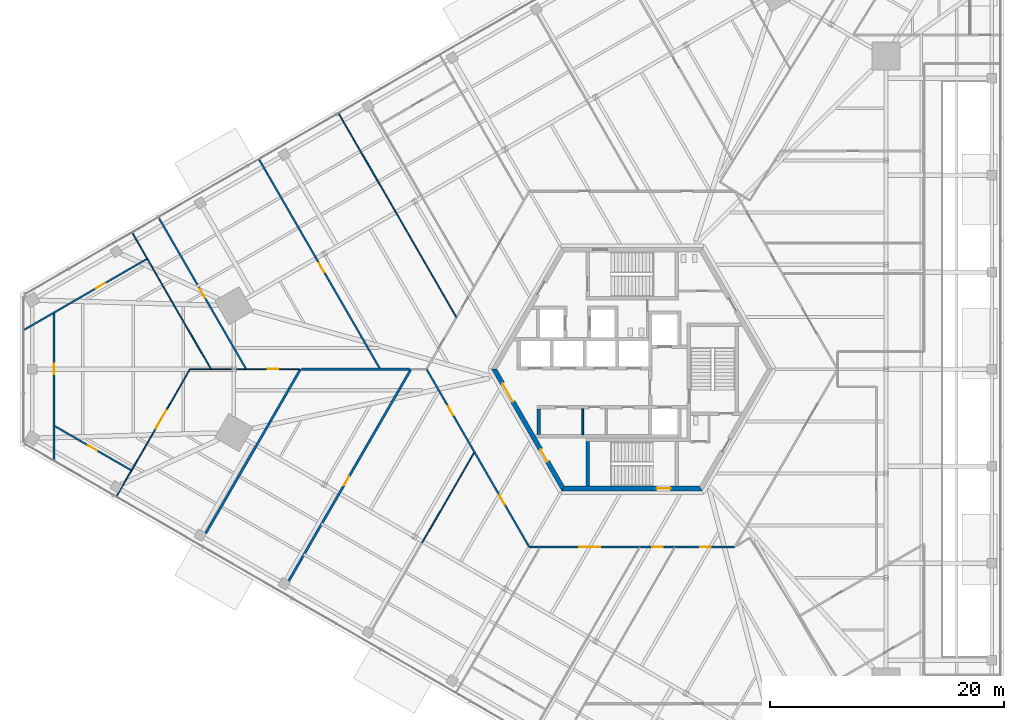
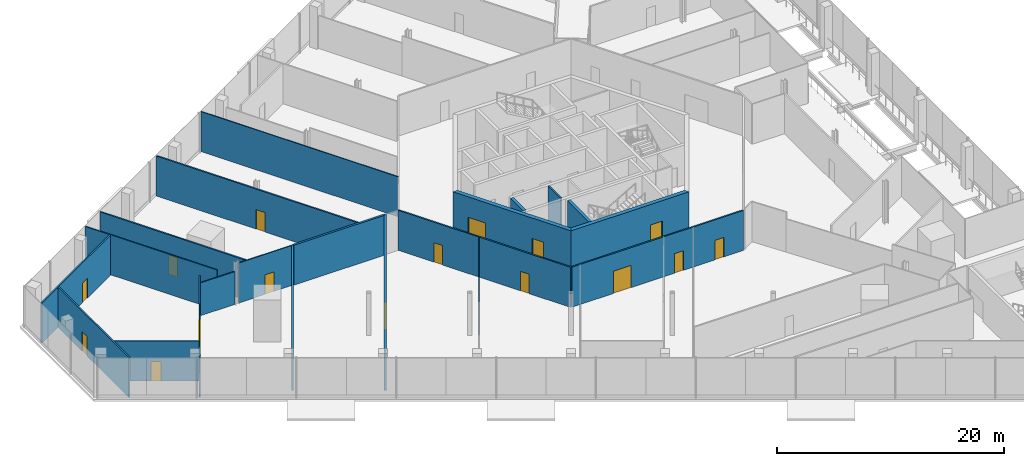
# One storey, part 19 of 27: 21 walls, 16 doors, 16 openings.
"""IFC4 building model written with IfcOpenShell, lengths in metres."""

from ifc_helpers import new_model, si_unit, direction, frame, frame_2d, origin, place, context, subcontext, project, spatial, polyline, rectangle, outline, extrude, source, transform, mapped, material, layer, layer_set, type_object, element, fill, save


model = new_model("IFC4")

# Units and contexts
model_context = context("Model", 3, precision=1e-05, world=origin(), true_north=direction((0.0, 1.0)))
body_context = subcontext(model_context, "Body", "Model", "MODEL_VIEW")
ifc_project = project(units=[si_unit("LENGTHUNIT", "METRE"), si_unit("AREAUNIT", "SQUARE_METRE"), si_unit("VOLUMEUNIT", "CUBIC_METRE"), si_unit("PLANEANGLEUNIT", "RADIAN"), si_unit("MASSUNIT", "GRAM", prefix="KILO")], contexts=[model_context])

# Site, building, storey
site_placement = place(None, origin())
site = spatial("IfcSite", under=ifc_project, at=site_placement, CompositionType="ELEMENT")
building_placement = place(site_placement, origin())
building = spatial("IfcBuilding", under=site, at=building_placement, Name="Triune Harvest Tower", CompositionType="ELEMENT")
storey_placement = place(building_placement, frame((0.0, 0.0, 7.0)))
storey = spatial("IfcBuildingStorey", under=building, at=storey_placement, Name="L01", CompositionType="ELEMENT", Elevation=7.0)

# Wall, opening, door
ifc_material_1 = material(Name="Gypsum board on steel studs", Category="steel")
ifc_layer_1 = layer(ifc_material_1, 0.14990234375)
ifc_layer_set_1 = layer_set([ifc_layer_1], Name="Gypsum board on steel studs")
wall_type_1 = type_object("IfcWallType", Name="Fire Partition 150 mm", PredefinedType="PARTITIONING", material=ifc_layer_set_1)
wall_1_placement = place(storey_placement, frame((-40.3974609375, 12.91015625, 0.0), z_axis=(0.0, 0.0, 1.0), x_axis=(0.500008816152, -0.866020313717, 0.0)))
wall_1 = element("IfcWall", 1, at=wall_1_placement, inside=storey, type_object=wall_type_1, Name="Partition L01 002", PredefinedType="PARTITIONING", context=body_context, shape_type="SweptSolid", body=[
    extrude(rectangle(XDim=14.907470703125, YDim=0.14990234375, at=frame_2d((7.45361328125, 0.0))), origin(), (0.0, 0.0, 1.0), 4.300048828125),
])
opening_1_placement = place(wall_1_placement, frame((6.97509765625, 0.0, 0.0)))
opening_1 = element("IfcOpeningElement", 2, at=opening_1_placement, cuts=wall_1, Name="Opening L01-021", PredefinedType="OPENING", context=body_context, shape_type="SweptSolid", body=[
    extrude(rectangle(XDim=0.89990234375, YDim=2.10009765625, at=frame_2d((0.449951171875, 1.050048828125))), frame((0.0, 0.0849609375, 0.0), z_axis=(0.0, -1.0, 0.0), x_axis=(1.0, 0.0, 0.0)), (0.0, 0.0, 1.0), 0.169921875),
])
ifc_material_2 = material(Name="Timber and steel door set", Category="steel")
door_type_1 = type_object("IfcDoorType", Name="Single leaf door FD30 right hand 900 x 2100", OperationType="SINGLE_SWING_RIGHT", PredefinedType="DOOR", material=ifc_material_2)
door_1_placement = place(opening_1_placement, origin())
door_1 = element("IfcDoor", 3, at=door_1_placement, inside=storey, type_object=door_type_1, Name="Door L01-021 Dry Store Room 01.22", OperationType="SINGLE_SWING_RIGHT", OverallHeight=2.10009765625, OverallWidth=0.89990234375, PredefinedType="DOOR", context=body_context, shape_type="SweptSolid", body=[
    extrude(rectangle(XDim=0.89990234375, YDim=2.10009765625, at=frame_2d((0.449951171875, 1.050048828125))), frame((0.0, 0.02490234375, 0.0), z_axis=(0.0, -1.0, 0.0), x_axis=(1.0, 0.0, 0.0)), (0.0, 0.0, 1.0), 0.050048828125),
])
fill(opening_1, door_1)

wall_2_placement = place(storey_placement, frame((-31.816650390625, 17.8642578125, 0.0), z_axis=(0.0, 0.0, 1.0), x_axis=(0.500001119364, -0.866024757518, 0.0)))
wall_2 = element("IfcWall", 4, at=wall_2_placement, inside=storey, type_object=wall_type_1, Name="Partition L01 003", PredefinedType="PARTITIONING", context=body_context, shape_type="SweptSolid", body=[
    extrude(rectangle(XDim=20.6279296875, YDim=0.14990234375, at=frame_2d((10.31396484375, 0.0))), origin(), (0.0, 0.0, 1.0), 4.300048828125),
])
opening_2_placement = place(wall_2_placement, frame((10.175048828125, 0.0, 0.0)))
opening_2 = element("IfcOpeningElement", 5, at=opening_2_placement, cuts=wall_2, Name="Opening L01-022", PredefinedType="OPENING", context=body_context, shape_type="SweptSolid", body=[
    extrude(rectangle(XDim=0.89990234375, YDim=2.10009765625, at=frame_2d((0.449951171875, 1.050048828125))), frame((0.0, 0.0849609375, 0.0), z_axis=(0.0, -1.0, 0.0), x_axis=(1.0, 0.0, 0.0)), (0.0, 0.0, 1.0), 0.169921875),
])
ifc_material_3 = material(Name="Timber and steel door set", Category="steel")
door_type_2 = type_object("IfcDoorType", Name="Single leaf door FD30 left hand 900 x 2100", OperationType="SINGLE_SWING_LEFT", PredefinedType="DOOR", material=ifc_material_3)
door_2_placement = place(opening_2_placement, origin())
door_2 = element("IfcDoor", 6, at=door_2_placement, inside=storey, type_object=door_type_2, Name="Door L01-022 Dry Store Room 01.23", OperationType="SINGLE_SWING_LEFT", OverallHeight=2.10009765625, OverallWidth=0.89990234375, PredefinedType="DOOR", context=body_context, shape_type="SweptSolid", body=[
    extrude(rectangle(XDim=0.89990234375, YDim=2.10009765625, at=frame_2d((0.449951171875, 1.050048828125))), frame((0.0, 0.02490234375, 0.0), z_axis=(0.0, -1.0, 0.0), x_axis=(1.0, 0.0, 0.0)), (0.0, 0.0, 1.0), 0.050048828125),
])
fill(opening_2, door_2)

# Wall, openings, doors
wall_3_placement = place(storey_placement, frame((-17.54248046875, 0.0, 0.0), z_axis=(0.0, 0.0, 1.0), x_axis=(0.499996320153, -0.866027528335, 0.0)))
wall_3 = element("IfcWall", 7, at=wall_3_placement, inside=storey, type_object=wall_type_1, Name="Partition L01 004", PredefinedType="PARTITIONING", context=body_context, shape_type="SweptSolid", body=[
    extrude(rectangle(XDim=17.542724609375, YDim=0.14990234375, at=frame_2d((8.771484375, 0.0))), origin(), (0.0, 0.0, 1.0), 4.300048828125),
])
opening_3_placement = place(wall_3_placement, frame((3.64990234375, 0.0, 0.0)))
opening_3 = element("IfcOpeningElement", 8, at=opening_3_placement, cuts=wall_3, Name="Opening L01-028", PredefinedType="OPENING", context=body_context, shape_type="SweptSolid", body=[
    extrude(rectangle(XDim=0.89990234375, YDim=2.10009765625, at=frame_2d((0.449951171875, 1.050048828125))), frame((0.0, 0.0849609375, 0.0), z_axis=(0.0, -1.0, 0.0), x_axis=(1.0, 0.0, 0.0)), (0.0, 0.0, 1.0), 0.169921875),
])
opening_4_placement = place(wall_3_placement, frame((12.43017578125, 0.0, 0.0)))
opening_4 = element("IfcOpeningElement", 9, at=opening_4_placement, cuts=wall_3, Name="Opening L01-029", PredefinedType="OPENING", context=body_context, shape_type="SweptSolid", body=[
    extrude(rectangle(XDim=0.89990234375, YDim=2.10009765625, at=frame_2d((0.449951171875, 1.050048828125))), frame((0.0, 0.0849609375, 0.0), z_axis=(0.0, -1.0, 0.0), x_axis=(1.0, 0.0, 0.0)), (0.0, 0.0, 1.0), 0.169921875),
])
door_3_placement = place(opening_4_placement, origin())
door_3 = element("IfcDoor", 10, at=door_3_placement, inside=storey, type_object=door_type_2, Name="Door L01-029 Dry Store Room 01.30", OperationType="SINGLE_SWING_LEFT", OverallHeight=2.10009765625, OverallWidth=0.89990234375, PredefinedType="DOOR", context=body_context, shape_type="SweptSolid", body=[
    extrude(rectangle(XDim=0.89990234375, YDim=2.10009765625, at=frame_2d((0.449951171875, 1.050048828125))), frame((0.0, 0.02490234375, 0.0), z_axis=(0.0, -1.0, 0.0), x_axis=(1.0, 0.0, 0.0)), (0.0, 0.0, 1.0), 0.050048828125),
])
fill(opening_4, door_3)
door_4_placement = place(opening_3_placement, origin())
door_4 = element("IfcDoor", 11, at=door_4_placement, inside=storey, type_object=door_type_1, Name="Door L01-028 Dry Store Room 01.29", OperationType="SINGLE_SWING_RIGHT", OverallHeight=2.10009765625, OverallWidth=0.89990234375, PredefinedType="DOOR", context=body_context, shape_type="SweptSolid", body=[
    extrude(rectangle(XDim=0.89990234375, YDim=2.10009765625, at=frame_2d((0.449951171875, 1.050048828125))), frame((0.0, 0.02490234375, 0.0), z_axis=(0.0, -1.0, 0.0), x_axis=(1.0, 0.0, 0.0)), (0.0, 0.0, 1.0), 0.050048828125),
])
fill(opening_3, door_4)

# Wall, opening, door
wall_4_placement = place(storey_placement, frame((-49.255126953125, -4.880615234375, 0.0), z_axis=(0.0, 0.0, 1.0), x_axis=(0.866024712477, -0.500001197378, 0.0)))
wall_4 = element("IfcWall", 12, at=wall_4_placement, inside=storey, type_object=wall_type_1, Name="Partition L01 018", PredefinedType="PARTITIONING", context=body_context, shape_type="SweptSolid", body=[
    extrude(rectangle(XDim=7.505859375, YDim=0.14990234375, at=frame_2d((3.7529296875, 0.0))), origin(), (0.0, 0.0, 1.0), 4.300048828125),
])
opening_5_placement = place(wall_4_placement, frame((3.240234375, 0.0, 0.0)))
opening_5 = element("IfcOpeningElement", 13, at=opening_5_placement, cuts=wall_4, Name="Opening L01-020", PredefinedType="OPENING", context=body_context, shape_type="SweptSolid", body=[
    extrude(rectangle(XDim=0.89990234375, YDim=2.10009765625, at=frame_2d((0.449951171875, 1.050048828125))), frame((0.0, 0.0849609375, 0.0), z_axis=(0.0, -1.0, 0.0), x_axis=(1.0, 0.0, 0.0)), (0.0, 0.0, 1.0), 0.169921875),
])
door_5_placement = place(opening_5_placement, origin())
door_5 = element("IfcDoor", 14, at=door_5_placement, inside=storey, type_object=door_type_1, Name="Door L01-020 Dry Store Room 01.21", OperationType="SINGLE_SWING_RIGHT", OverallHeight=2.10009765625, OverallWidth=0.89990234375, PredefinedType="DOOR", context=body_context, shape_type="SweptSolid", body=[
    extrude(rectangle(XDim=0.89990234375, YDim=2.10009765625, at=frame_2d((0.449951171875, 1.050048828125))), frame((0.0, 0.02490234375, 0.0), z_axis=(0.0, -1.0, 0.0), x_axis=(1.0, 0.0, 0.0)), (0.0, 0.0, 1.0), 0.050048828125),
])
fill(opening_5, door_5)

# Wall, openings, doors
wall_5_placement = place(storey_placement, frame((-8.72119140625, -15.1923828125, 0.0), z_axis=(0.0, 0.0, 1.0), x_axis=(1.0, 0.0, 0.0)))
wall_5 = element("IfcWall", 15, at=wall_5_placement, inside=storey, type_object=wall_type_1, Name="Partition L01 029", PredefinedType="PARTITIONING", context=body_context, shape_type="SweptSolid", body=[
    extrude(rectangle(XDim=17.45068359375, YDim=0.14990234375, at=frame_2d((8.725341796875, 0.0))), origin(), (0.0, 0.0, 1.0), 4.300048828125),
])
opening_6_placement = place(wall_5_placement, frame((4.22607421875, 0.0, 0.0)))
opening_6 = element("IfcOpeningElement", 16, at=opening_6_placement, cuts=wall_5, Name="Opening L01-027", PredefinedType="OPENING", context=body_context, shape_type="SweptSolid", body=[
    extrude(rectangle(XDim=1.800048828125, YDim=2.39990234375, at=frame_2d((0.89990234375, 1.199951171875))), frame((0.0, 0.0849609375, 0.0), z_axis=(0.0, -1.0, 0.0), x_axis=(1.0, 0.0, 0.0)), (0.0, 0.0, 1.0), 0.169921875),
])
opening_7_placement = place(wall_5_placement, frame((10.433837890625, 0.0, 0.0)))
opening_7 = element("IfcOpeningElement", 17, at=opening_7_placement, cuts=wall_5, Name="Opening L01-031", PredefinedType="OPENING", context=body_context, shape_type="SweptSolid", body=[
    extrude(rectangle(XDim=0.89990234375, YDim=2.10009765625, at=frame_2d((0.449951171875, 1.050048828125))), frame((0.0, 0.0849609375, 0.0), z_axis=(0.0, -1.0, 0.0), x_axis=(1.0, 0.0, 0.0)), (0.0, 0.0, 1.0), 0.169921875),
])
opening_8_placement = place(wall_5_placement, frame((14.5361328125, 0.0, 0.0)))
opening_8 = element("IfcOpeningElement", 18, at=opening_8_placement, cuts=wall_5, Name="Opening L01-032", PredefinedType="OPENING", context=body_context, shape_type="SweptSolid", body=[
    extrude(rectangle(XDim=0.89990234375, YDim=2.10009765625, at=frame_2d((0.449951171875, 1.050048828125))), frame((0.0, 0.0849609375, 0.0), z_axis=(0.0, -1.0, 0.0), x_axis=(1.0, 0.0, 0.0)), (0.0, 0.0, 1.0), 0.169921875),
])
ifc_material_4 = material(Name="Timber and steel door set", Category="steel")
door_type_3 = type_object("IfcDoorType", Name="Double leaf door FD30 1800 x 2400", OperationType="DOUBLE_DOOR_SINGLE_SWING", PredefinedType="DOOR", material=ifc_material_4)
door_6_placement = place(opening_6_placement, origin())
door_6 = element("IfcDoor", 19, at=door_6_placement, inside=storey, type_object=door_type_3, Name="Door L01-027 Market Hall 01.28", OperationType="DOUBLE_DOOR_SINGLE_SWING", OverallHeight=2.39990234375, OverallWidth=1.800048828125, PredefinedType="DOOR", context=body_context, shape_type="SweptSolid", body=[
    extrude(rectangle(XDim=1.800048828125, YDim=2.39990234375, at=frame_2d((0.89990234375, 1.199951171875))), frame((0.0, 0.02490234375, 0.0), z_axis=(0.0, -1.0, 0.0), x_axis=(1.0, 0.0, 0.0)), (0.0, 0.0, 1.0), 0.050048828125),
])
fill(opening_6, door_6)
door_7_placement = place(opening_7_placement, origin())
door_7 = element("IfcDoor", 20, at=door_7_placement, inside=storey, type_object=door_type_2, Name="Door L01-031 Dry Store Room 01.32", OperationType="SINGLE_SWING_LEFT", OverallHeight=2.10009765625, OverallWidth=0.89990234375, PredefinedType="DOOR", context=body_context, shape_type="SweptSolid", body=[
    extrude(rectangle(XDim=0.89990234375, YDim=2.10009765625, at=frame_2d((0.449951171875, 1.050048828125))), frame((0.0, 0.02490234375, 0.0), z_axis=(0.0, -1.0, 0.0), x_axis=(1.0, 0.0, 0.0)), (0.0, 0.0, 1.0), 0.050048828125),
])
fill(opening_7, door_7)
door_8_placement = place(opening_8_placement, origin())
door_8 = element("IfcDoor", 21, at=door_8_placement, inside=storey, type_object=door_type_2, Name="Door L01-032 Dry Store Room 01.33", OperationType="SINGLE_SWING_LEFT", OverallHeight=2.10009765625, OverallWidth=0.89990234375, PredefinedType="DOOR", context=body_context, shape_type="SweptSolid", body=[
    extrude(rectangle(XDim=0.89990234375, YDim=2.10009765625, at=frame_2d((0.449951171875, 1.050048828125))), frame((0.0, 0.02490234375, 0.0), z_axis=(0.0, -1.0, 0.0), x_axis=(1.0, 0.0, 0.0)), (0.0, 0.0, 1.0), 0.050048828125),
])
fill(opening_8, door_8)

# Wall, opening, door
wall_6_placement = place(storey_placement, frame((-51.875244140625, 3.367919921875, 0.0), z_axis=(0.0, 0.0, 1.0), x_axis=(0.866019679108, 0.5000099153, 0.0)))
wall_6 = element("IfcWall", 22, at=wall_6_placement, inside=storey, type_object=wall_type_1, Name="Partition L01 046", PredefinedType="PARTITIONING", context=body_context, shape_type="SweptSolid", body=[
    extrude(rectangle(XDim=12.081298828125, YDim=0.14990234375, at=frame_2d((6.04052734375, 0.0))), origin(), (0.0, 0.0, 1.0), 4.300048828125),
])
opening_9_placement = place(wall_6_placement, frame((7.061279296875, 0.0, 0.0)))
opening_9 = element("IfcOpeningElement", 23, at=opening_9_placement, cuts=wall_6, Name="Opening L01-019", PredefinedType="OPENING", context=body_context, shape_type="SweptSolid", body=[
    extrude(rectangle(XDim=0.89990234375, YDim=2.10009765625, at=frame_2d((0.449951171875, 1.050048828125))), frame((0.0, 0.0849609375, 0.0), z_axis=(0.0, -1.0, 0.0), x_axis=(1.0, 0.0, 0.0)), (0.0, 0.0, 1.0), 0.169921875),
])
door_9_placement = place(opening_9_placement, origin())
door_9 = element("IfcDoor", 24, at=door_9_placement, inside=storey, type_object=door_type_1, Name="Door L01-019 Dry Store Room 01.20", OperationType="SINGLE_SWING_RIGHT", OverallHeight=2.10009765625, OverallWidth=0.89990234375, PredefinedType="DOOR", context=body_context, shape_type="SweptSolid", body=[
    extrude(rectangle(XDim=0.89990234375, YDim=2.10009765625, at=frame_2d((0.449951171875, 1.050048828125))), frame((0.0, 0.02490234375, 0.0), z_axis=(0.0, -1.0, 0.0), x_axis=(1.0, 0.0, 0.0)), (0.0, 0.0, 1.0), 0.050048828125),
])
fill(opening_9, door_9)

wall_7_placement = place(storey_placement, frame((-49.35009765625, -7.7412109375, 0.0), z_axis=(0.0, 0.0, 1.0), x_axis=(0.0, 1.0, 0.0)))
wall_7 = element("IfcWall", 25, at=wall_7_placement, inside=storey, type_object=wall_type_1, Name="Partition L01 069", PredefinedType="PARTITIONING", context=body_context, shape_type="SweptSolid", body=[
    extrude(rectangle(XDim=12.56689453125, YDim=0.14990234375, at=frame_2d((6.283447265625, 0.0))), origin(), (0.0, 0.0, 1.0), 4.300048828125),
])
opening_10_placement = place(wall_7_placement, frame((7.31689453125, 0.0, 0.0)))
opening_10 = element("IfcOpeningElement", 26, at=opening_10_placement, cuts=wall_7, Name="Opening L01-018", PredefinedType="OPENING", context=body_context, shape_type="SweptSolid", body=[
    extrude(rectangle(XDim=0.89990234375, YDim=2.10009765625, at=frame_2d((0.449951171875, 1.050048828125))), frame((0.0, 0.0849609375, 0.0), z_axis=(0.0, -1.0, 0.0), x_axis=(1.0, 0.0, 0.0)), (0.0, 0.0, 1.0), 0.169921875),
])
door_10_placement = place(opening_10_placement, origin())
door_10 = element("IfcDoor", 27, at=door_10_placement, inside=storey, type_object=door_type_1, Name="Door L01-018 Dry Store Room 01.19", OperationType="SINGLE_SWING_RIGHT", OverallHeight=2.10009765625, OverallWidth=0.89990234375, PredefinedType="DOOR", context=body_context, shape_type="SweptSolid", body=[
    extrude(rectangle(XDim=0.89990234375, YDim=2.10009765625, at=frame_2d((0.449951171875, 1.050048828125))), frame((0.0, 0.02490234375, 0.0), z_axis=(0.0, -1.0, 0.0), x_axis=(1.0, 0.0, 0.0)), (0.0, 0.0, 1.0), 0.050048828125),
])
fill(opening_10, door_10)

# Wall
ifc_material_5 = material(Name="Gypsum board on steel studs", Category="steel")
ifc_layer_2 = layer(ifc_material_5, 0.199951171875)
ifc_layer_set_2 = layer_set([ifc_layer_2], Name="Gypsum board on steel studs")
wall_type_2 = type_object("IfcWallType", Name="Fire Wall 200 mm", PredefinedType="PARTITIONING", material=ifc_layer_set_2)
wall_8_placement = place(storey_placement, frame((-28.231689453125, 0.0, 0.0), z_axis=(0.0, 0.0, 1.0), x_axis=(1.0, 0.0, 0.0)))
element("IfcWall", 28, at=wall_8_placement, inside=storey, type_object=wall_type_2, Name="Partition L01 033", PredefinedType="PARTITIONING", context=body_context, shape_type="SweptSolid", body=[
    extrude(rectangle(XDim=9.2138671875, YDim=0.199951171875, at=frame_2d((4.60693359375, 0.0))), origin(), (0.0, 0.0, 1.0), 4.300048828125),
])

# Wall, opening, door
wall_9_placement = place(storey_placement, frame((-29.3134765625, -18.09228515625, 0.0), z_axis=(0.0, 0.0, 1.0), x_axis=(0.49999895657, 0.866026006208, 0.0)))
wall_9 = element("IfcWall", 29, at=wall_9_placement, inside=storey, type_object=wall_type_2, Name="Partition L01 060", PredefinedType="PARTITIONING", context=body_context, shape_type="SweptSolid", body=[
    extrude(rectangle(XDim=20.89111328125, YDim=0.199951171875, at=frame_2d((10.445556640625, 0.0))), origin(), (0.0, 0.0, 1.0), 4.300048828125),
])
opening_11_placement = place(wall_9_placement, frame((9.441162109375, 0.0, 0.0)))
opening_11 = element("IfcOpeningElement", 30, at=opening_11_placement, cuts=wall_9, Name="Opening L01-026", PredefinedType="OPENING", context=body_context, shape_type="SweptSolid", body=[
    extrude(rectangle(XDim=0.89990234375, YDim=2.10009765625, at=frame_2d((0.449951171875, 1.050048828125))), frame((0.0, 0.10986328125, 0.0), z_axis=(0.0, -1.0, 0.0), x_axis=(1.0, 0.0, 0.0)), (0.0, 0.0, 1.0), 0.219970703125),
])
ifc_material_6 = material(Name="Timber and steel door set", Category="steel")
door_type_4 = type_object("IfcDoorType", Name="Single leaf door FD60 left hand 900 x 2100", OperationType="SINGLE_SWING_LEFT", PredefinedType="DOOR", material=ifc_material_6)
door_11_placement = place(opening_11_placement, origin())
door_11 = element("IfcDoor", 31, at=door_11_placement, inside=storey, type_object=door_type_4, Name="Door L01-026 Commercial Kitchen 01.27", OperationType="SINGLE_SWING_LEFT", OverallHeight=2.10009765625, OverallWidth=0.89990234375, PredefinedType="DOOR", context=body_context, shape_type="SweptSolid", body=[
    extrude(rectangle(XDim=0.89990234375, YDim=2.10009765625, at=frame_2d((0.449951171875, 1.050048828125))), frame((0.0, 0.02490234375, 0.0), z_axis=(0.0, -1.0, 0.0), x_axis=(1.0, 0.0, 0.0)), (0.0, 0.0, 1.0), 0.050048828125),
])
fill(opening_11, door_11)

# Walls
wall_10_placement = place(storey_placement, frame((-36.388916015625, -14.00732421875, 0.0), z_axis=(0.0, 0.0, 1.0), x_axis=(0.500001196103, 0.866024713213, 0.0)))
element("IfcWall", 32, at=wall_10_placement, inside=storey, type_object=wall_type_2, Name="Partition L01 061", PredefinedType="PARTITIONING", context=body_context, shape_type="SweptSolid", body=[
    extrude(rectangle(XDim=16.17431640625, YDim=0.199951171875, at=frame_2d((8.087158203125, 0.0))), origin(), (0.0, 0.0, 1.0), 4.300048828125),
])
ifc_material_7 = material(Name="Gypsum board on steel studs", Category="steel")
ifc_layer_3 = layer(ifc_material_7, 0.10009765625)
ifc_layer_set_3 = layer_set([ifc_layer_3], Name="Gypsum board on steel studs")
wall_type_3 = type_object("IfcWallType", Name="Partition 100 mm", PredefinedType="PARTITIONING", material=ifc_layer_set_3)
wall_11_placement = place(storey_placement, frame((-42.64892578125, 11.610107421875, 0.0), z_axis=(0.0, 0.0, 1.0), x_axis=(0.50000147439, -0.866024552543, 0.0)))
element("IfcWall", 33, at=wall_11_placement, inside=storey, type_object=wall_type_3, Name="Partition L01 001", PredefinedType="PARTITIONING", context=body_context, shape_type="SweptSolid", body=[
    extrude(rectangle(XDim=13.40625, YDim=0.10009765625, at=frame_2d((6.703125, 0.0))), origin(), (0.0, 0.0, 1.0), 4.300048828125),
])
wall_12_placement = place(storey_placement, frame((-37.715576171875, 0.0, 0.0), z_axis=(0.0, 0.0, 1.0), x_axis=(1.0, 0.0, 0.0)))
element("IfcWall", 34, at=wall_12_placement, inside=storey, type_object=wall_type_3, Name="Partition L01 031", PredefinedType="PARTITIONING", context=body_context, shape_type="SweptSolid", body=[
    extrude(rectangle(XDim=3.53369140625, YDim=0.10009765625, at=frame_2d((1.766845703125, 0.0))), origin(), (0.0, 0.0, 1.0), 3.52783203125),
])

# Wall, opening, door
wall_13_placement = place(storey_placement, frame((-33.79541015625, 0.0, 0.0), z_axis=(0.0, 0.0, 1.0), x_axis=(1.0, 0.0, 0.0)))
wall_13 = element("IfcWall", 35, at=wall_13_placement, inside=storey, type_object=wall_type_3, Name="Partition L01 032", PredefinedType="PARTITIONING", context=body_context, shape_type="SweptSolid", body=[
    extrude(rectangle(XDim=5.373779296875, YDim=0.10009765625, at=frame_2d((2.68701171875, 0.0))), origin(), (0.0, 0.0, 1.0), 4.300048828125),
])
opening_12_placement = place(wall_13_placement, frame((2.690185546875, 0.0, 0.0)))
opening_12 = element("IfcOpeningElement", 36, at=opening_12_placement, cuts=wall_13, Name="Opening L01-025", PredefinedType="OPENING", context=body_context, shape_type="SweptSolid", body=[
    extrude(rectangle(XDim=0.89990234375, YDim=2.10009765625, at=frame_2d((0.449951171875, 1.050048828125))), frame((0.0, 0.06005859375, 0.0), z_axis=(0.0, -1.0, 0.0), x_axis=(1.0, 0.0, 0.0)), (0.0, 0.0, 1.0), 0.1201171875),
])
ifc_material_8 = material(Name="Timber and steel door set", Category="steel")
door_type_5 = type_object("IfcDoorType", Name="Single leaf door left hand 900 x 2100", OperationType="SINGLE_SWING_LEFT", PredefinedType="DOOR", material=ifc_material_8)
door_12_placement = place(opening_12_placement, origin())
door_12 = element("IfcDoor", 37, at=door_12_placement, inside=storey, type_object=door_type_5, Name="Door L01-025 Dry Goods Store 01.26", OperationType="SINGLE_SWING_LEFT", OverallHeight=2.10009765625, OverallWidth=0.89990234375, PredefinedType="DOOR", context=body_context, shape_type="SweptSolid", body=[
    extrude(rectangle(XDim=0.89990234375, YDim=2.10009765625, at=frame_2d((0.449951171875, 1.050048828125))), frame((0.0, 0.02490234375, 0.0), z_axis=(0.0, -1.0, 0.0), x_axis=(1.0, 0.0, 0.0)), (0.0, 0.0, 1.0), 0.050048828125),
])
fill(opening_12, door_12)

# Wall
wall_14_placement = place(storey_placement, frame((-17.93896484375, -14.855224609375, 0.0), z_axis=(0.0, 0.0, 1.0), x_axis=(0.500002384187, 0.866024027269, 0.0)))
element("IfcWall", 38, at=wall_14_placement, inside=storey, type_object=wall_type_3, Name="Partition L01 058a", PredefinedType="PARTITIONING", context=body_context, shape_type="SweptSolid", body=[
    extrude(rectangle(XDim=8.88330078125, YDim=0.10009765625, at=frame_2d((4.441650390625, 0.0))), origin(), (0.0, 0.0, 1.0), 4.300048828125),
])

# Wall, opening, door
wall_15_placement = place(storey_placement, frame((-43.9912109375, -10.835205078125, 0.0), z_axis=(0.0, 0.0, 1.0), x_axis=(0.499994405027, 0.86602863402, 0.0)))
wall_15 = element("IfcWall", 39, at=wall_15_placement, inside=storey, type_object=wall_type_3, Name="Partition L01 062", PredefinedType="PARTITIONING", context=body_context, shape_type="SweptSolid", body=[
    extrude(rectangle(XDim=12.511474609375, YDim=0.10009765625, at=frame_2d((6.255859375, 0.0))), origin(), (0.0, 0.0, 1.0), 4.300048828125),
])
opening_13_placement = place(wall_15_placement, frame((6.66162109375, 0.0, 0.0)))
opening_13 = element("IfcOpeningElement", 40, at=opening_13_placement, cuts=wall_15, Name="Opening L01-017", PredefinedType="OPENING", context=body_context, shape_type="SweptSolid", body=[
    extrude(rectangle(XDim=1.800048828125, YDim=2.39990234375, at=frame_2d((0.89990234375, 1.199951171875))), frame((0.0, 0.06005859375, 0.0), z_axis=(0.0, -1.0, 0.0), x_axis=(1.0, 0.0, 0.0)), (0.0, 0.0, 1.0), 0.1201171875),
])
ifc_material_9 = material(Name="Timber and steel door set", Category="steel")
door_type_6 = type_object("IfcDoorType", Name="Double leaf door 1800 x 2400", OperationType="DOUBLE_DOOR_SINGLE_SWING", PredefinedType="DOOR", material=ifc_material_9)
door_13_placement = place(opening_13_placement, origin())
door_13 = element("IfcDoor", 41, at=door_13_placement, inside=storey, type_object=door_type_6, Name="Door L01-017 Market Hall 01.18", OperationType="DOUBLE_DOOR_SINGLE_SWING", OverallHeight=2.39990234375, OverallWidth=1.800048828125, PredefinedType="DOOR", context=body_context, shape_type="SweptSolid", body=[
    extrude(rectangle(XDim=1.800048828125, YDim=2.39990234375, at=frame_2d((0.89990234375, 1.199951171875))), frame((0.0, 0.02490234375, 0.0), z_axis=(0.0, -1.0, 0.0), x_axis=(1.0, 0.0, 0.0)), (0.0, 0.0, 1.0), 0.050048828125),
])
fill(opening_13, door_13)

# Wall, openings, doors
ifc_material_10 = material(Name="Concrete 70 MPa", Category="concrete")
ifc_layer_4 = layer(ifc_material_10, 0.39990234375)
ifc_layer_set_4 = layer_set([ifc_layer_4], Name="Concrete 70 MPa")
wall_type_4 = type_object("IfcWallType", Name="Core wall 400", PredefinedType="SHEAR", material=ifc_layer_set_4)
shared_shape_1 = source(origin(), body_context, "Body", "SweptSolid", [
    extrude(outline(polyline([(-0.115478515625, -0.199951171875), (11.884521484375, -0.199951171875), (11.653564453125, 0.199951171875), (0.115478515625, 0.199951171875), (-0.115478515625, -0.199951171875)])), origin(), (0.0, 0.0, 1.0), 4.300048828125),
])
wall_16_placement = place(storey_placement, frame((-11.76904296875, 0.0, 0.0), z_axis=(0.0, 0.0, 1.0), x_axis=(0.499996592174, -0.866027371285, 0.0)))
wall_16 = element("IfcWall", 42, at=wall_16_placement, inside=storey, type_object=wall_type_4, Name="Hexagon 3 wall", PredefinedType="SHEAR", context=body_context, shape_type="MappedRepresentation", body=[
    mapped(shared_shape_1, transform((0.0, 0.0, 0.0), scale=1.0)),
])
opening_14_placement = place(wall_16_placement, frame((1.404541015625, 0.0, 0.0)))
opening_14 = element("IfcOpeningElement", 43, at=opening_14_placement, cuts=wall_16, Name="Opening CD-LS", PredefinedType="OPENING", context=body_context, shape_type="SweptSolid", body=[
    extrude(rectangle(XDim=1.800048828125, YDim=2.10009765625, at=frame_2d((0.89990234375, 1.050048828125))), frame((0.0, 0.2099609375, 0.0), z_axis=(0.0, -1.0, 0.0), x_axis=(1.0, 0.0, 0.0)), (0.0, 0.0, 1.0), 0.419921875),
])
opening_15_placement = place(wall_16_placement, frame((7.91455078125, 0.0, 0.0)))
opening_15 = element("IfcOpeningElement", 44, at=opening_15_placement, cuts=wall_16, Name="Opening CD-SWP", PredefinedType="OPENING", context=body_context, shape_type="SweptSolid", body=[
    extrude(rectangle(XDim=1.199951171875, YDim=2.10009765625, at=frame_2d((0.60009765625, 1.050048828125))), frame((0.0, 0.2099609375, 0.0), z_axis=(0.0, -1.0, 0.0), x_axis=(1.0, 0.0, 0.0)), (0.0, 0.0, 1.0), 0.419921875),
])
ifc_material_11 = material(Name="Steel S235", Category="steel")
door_type_7 = type_object("IfcDoorType", Name="Lobby door 1800 FD120", OperationType="DOUBLE_DOOR_DOUBLE_SWING", PredefinedType="DOOR", material=ifc_material_11)
door_14_placement = place(opening_14_placement, frame((1.800048828125, 0.0, 0.0), z_axis=(0.0, 0.0, 1.0), x_axis=(-1.0, 0.0, 0.0)))
door_14 = element("IfcDoor", 45, at=door_14_placement, inside=storey, type_object=door_type_7, Name="Door CD-LS", OperationType="DOUBLE_DOOR_DOUBLE_SWING", OverallHeight=2.10009765625, OverallWidth=1.800048828125, PredefinedType="DOOR", context=body_context, shape_type="SweptSolid", body=[
    extrude(rectangle(XDim=1.800048828125, YDim=2.10009765625, at=frame_2d((0.89990234375, 1.050048828125))), frame((0.0, 0.02490234375, 0.0), z_axis=(0.0, -1.0, 0.0), x_axis=(1.0, 0.0, 0.0)), (0.0, 0.0, 1.0), 0.050048828125),
])
fill(opening_14, door_14)
ifc_material_12 = material(Name="Steel S235", Category="steel")
door_type_8 = type_object("IfcDoorType", Name="Service door 1200 FD120", OperationType="SINGLE_SWING_LEFT", PredefinedType="DOOR", material=ifc_material_12)
door_15_placement = place(opening_15_placement, frame((1.199951171875, 0.0, 0.0), z_axis=(0.0, 0.0, 1.0), x_axis=(-1.0, 0.0, 0.0)))
door_15 = element("IfcDoor", 46, at=door_15_placement, inside=storey, type_object=door_type_8, Name="Door CD-SWP", OperationType="SINGLE_SWING_RIGHT", OverallHeight=2.10009765625, OverallWidth=1.199951171875, PredefinedType="DOOR", context=body_context, shape_type="SweptSolid", body=[
    extrude(rectangle(XDim=1.199951171875, YDim=2.10009765625, at=frame_2d((0.60009765625, 1.050048828125))), frame((0.0, 0.02490234375, 0.0), z_axis=(0.0, -1.0, 0.0), x_axis=(1.0, 0.0, 0.0)), (0.0, 0.0, 1.0), 0.050048828125),
])
fill(opening_15, door_15)

# Wall, opening, door
wall_17_placement = place(storey_placement, frame((-5.884521484375, -10.1923828125, 0.0), z_axis=(0.0, 0.0, 1.0), x_axis=(1.0, 0.0, 0.0)))
wall_17 = element("IfcWall", 47, at=wall_17_placement, inside=storey, type_object=wall_type_4, Name="Hexagon 4 wall", PredefinedType="SHEAR", context=body_context, shape_type="MappedRepresentation", body=[
    mapped(shared_shape_1, transform((0.0, 0.0, 0.0), scale=1.0)),
])
opening_16_placement = place(wall_17_placement, frame((7.984619140625, 0.0, 0.0)))
opening_16 = element("IfcOpeningElement", 48, at=opening_16_placement, cuts=wall_17, Name="Opening CD-S2P", PredefinedType="OPENING", context=body_context, shape_type="SweptSolid", body=[
    extrude(rectangle(XDim=1.199951171875, YDim=2.10009765625, at=frame_2d((0.60009765625, 1.050048828125))), frame((0.0, 0.2099609375, 0.0), z_axis=(0.0, -1.0, 0.0), x_axis=(1.0, 0.0, 0.0)), (0.0, 0.0, 1.0), 0.419921875),
])
ifc_material_13 = material(Name="Steel S235", Category="steel")
door_type_9 = type_object("IfcDoorType", Name="Stair door 1200 FD120", OperationType="SINGLE_SWING_LEFT", PredefinedType="DOOR", material=ifc_material_13)
door_16_placement = place(opening_16_placement, frame((1.199951171875, 0.0, 0.0), z_axis=(0.0, 0.0, 1.0), x_axis=(-1.0, 0.0, 0.0)))
door_16 = element("IfcDoor", 49, at=door_16_placement, inside=storey, type_object=door_type_9, Name="Door CD-S2P", OperationType="SINGLE_SWING_RIGHT", OverallHeight=2.10009765625, OverallWidth=1.199951171875, PredefinedType="DOOR", context=body_context, shape_type="SweptSolid", body=[
    extrude(rectangle(XDim=1.199951171875, YDim=2.10009765625, at=frame_2d((0.60009765625, 1.050048828125))), frame((0.0, 0.02490234375, 0.0), z_axis=(0.0, -1.0, 0.0), x_axis=(1.0, 0.0, 0.0)), (0.0, 0.0, 1.0), 0.050048828125),
])
fill(opening_16, door_16)

# Walls
ifc_material_14 = material(Name="Concrete 70 MPa", Category="concrete")
ifc_layer_5 = layer(ifc_material_14, 0.300048828125)
ifc_layer_set_5 = layer_set([ifc_layer_5], Name="Concrete 70 MPa")
wall_type_5 = type_object("IfcWallType", Name="Core wall 300", PredefinedType="SHEAR", material=ifc_layer_set_5)
shared_shape_2 = source(origin(), body_context, "Body", "SweptSolid", [
    extrude(rectangle(XDim=2.2001953125, YDim=0.300048828125, at=frame_2d((1.10009765625, 0.0))), origin(), (0.0, 0.0, 1.0), 4.300048828125),
])
wall_18_placement = place(storey_placement, frame((-7.949951171875, -5.590087890625, 0.0), z_axis=(0.0, 0.0, 1.0), x_axis=(0.0, 1.0, 0.0)))
element("IfcWall", 50, at=wall_18_placement, inside=storey, type_object=wall_type_5, Name="South end west wall", PredefinedType="SHEAR", context=body_context, shape_type="MappedRepresentation", body=[
    mapped(shared_shape_2, transform((0.0, 0.0, 0.0), scale=1.0)),
])
shared_shape_3 = source(origin(), body_context, "Body", "SweptSolid", [
    extrude(outline(polyline([(3.800048828125, -0.14990234375), (-0.00439453125, -0.14990234375), (-0.00439453125, 0.14990234375), (3.800048828125, 0.14990234375), (3.800048828125, -0.14990234375)])), origin(), (0.0, 0.0, 1.0), 4.300048828125),
])
wall_19_placement = place(storey_placement, frame((-3.800048828125, -9.989990234375, 0.0), z_axis=(0.0, 0.0, 1.0), x_axis=(0.0, 1.0, 0.0)))
element("IfcWall", 51, at=wall_19_placement, inside=storey, type_object=wall_type_5, Name="Stair s west wall", PredefinedType="SHEAR", context=body_context, shape_type="MappedRepresentation", body=[
    mapped(shared_shape_3, transform((0.0, 0.0, 0.0), scale=1.0)),
])
ifc_material_15 = material(Name="Concrete masonry unit", Category="masonry")
ifc_layer_6 = layer(ifc_material_15, 0.14990234375)
ifc_layer_set_6 = layer_set([ifc_layer_6], Name="Concrete masonry unit")
wall_type_6 = type_object("IfcWallType", Name="Block partition 150", PredefinedType="PARTITIONING", material=ifc_layer_set_6)
shared_shape_4 = source(origin(), body_context, "Body", "SweptSolid", [
    extrude(rectangle(XDim=2.2001953125, YDim=0.14990234375, at=frame_2d((1.10009765625, 0.0))), origin(), (0.0, 0.0, 1.0), 4.300048828125),
])
wall_20_placement = place(storey_placement, frame((-4.199951171875, -5.590087890625, 0.0), z_axis=(0.0, 0.0, 1.0), x_axis=(0.0, 1.0, 0.0)))
element("IfcWall", 52, at=wall_20_placement, inside=storey, type_object=wall_type_6, Name="Row s part 1 wall", PredefinedType="PARTITIONING", context=body_context, shape_type="MappedRepresentation", body=[
    mapped(shared_shape_4, transform((0.0, 0.0, 0.0), scale=1.0)),
])
shared_shape_5 = source(origin(), body_context, "Body", "SweptSolid", [
    extrude(rectangle(XDim=20.054931640625, YDim=0.10009765625, at=frame_2d((10.02734375, 0.0))), origin(), (0.0, 0.0, 1.0), 4.300048828125),
])
wall_21_placement = place(storey_placement, frame((-25.016845703125, 21.790283203125, 0.0), z_axis=(0.0, 0.0, 1.0), x_axis=(0.50000802728, -0.866020769183, 0.0)))
element("IfcWall", 53, at=wall_21_placement, inside=storey, type_object=wall_type_3, Name="Partition L01 005", PredefinedType="PARTITIONING", context=body_context, shape_type="MappedRepresentation", body=[
    mapped(shared_shape_5, transform((0.0, 0.0, 0.0), scale=1.0)),
])

save(model, "model.ifc")
